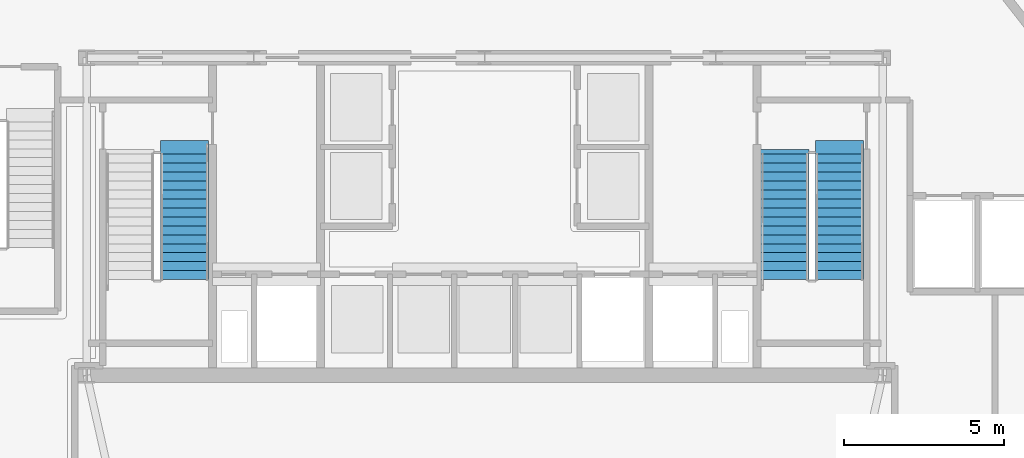
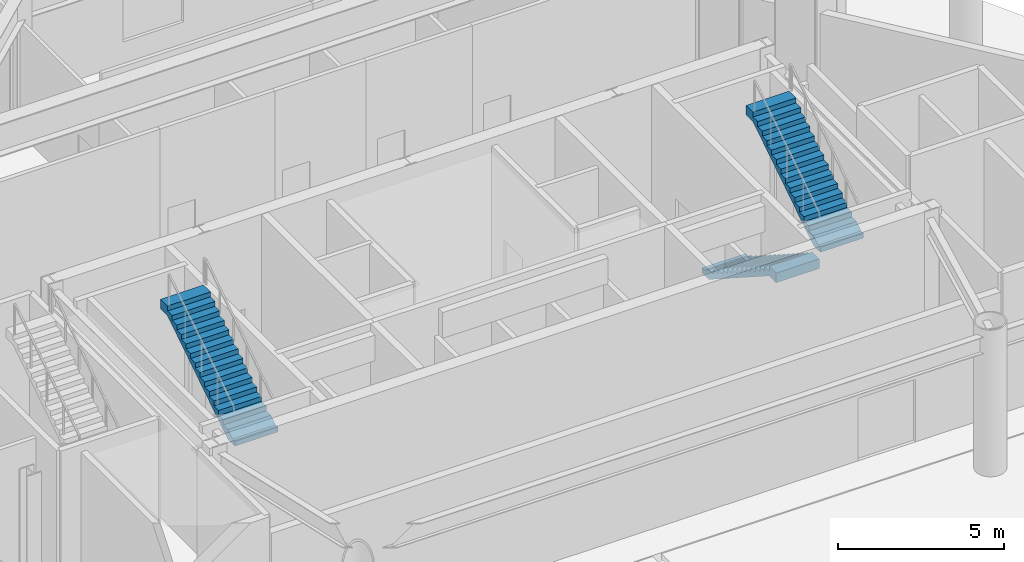
# One storey, part 7 of 9: 3 stair flights, 2 elements without a shape of their own.
"""IFC4 building model written with IfcOpenShell, lengths in metres."""

import ifcopenshell
import ifcopenshell.guid

model = None  # the IFC model being written
_history = None  # IfcOwnerHistory: only IFC2X3 demands one
_inside = {}  # id of a spatial element -> (the spatial element, [elements in it])
_under = {}  # id of a project, library or spatial element -> (it, [spatial elements below it])
_declared = {}  # id of a project -> (the project, [libraries it declares])
_typed = {}  # id of a type object -> (the type object, [elements of that type])
_made_of = {}  # id of a material, layer set ... -> (it, [elements and type objects made of it])


def new_model(schema):
    """Start an empty IFC model of exactly this schema.

    Asked for "IFC4X3", IfcOpenShell would pick the latest addendum, in which some entities
    have other attributes; the version numbers below select the first issue.
    IFC2X3 requires an IfcOwnerHistory on every rooted entity: one is made here for all.
    """
    global model, _history
    if schema == "IFC4X3":
        model = ifcopenshell.file(schema_version=(4, 3, 0, 0))
    else:
        model = ifcopenshell.file(schema=schema)
    _inside.clear()
    _under.clear()
    _declared.clear()
    _typed.clear()
    _made_of.clear()
    _history = None
    if model.schema == "IFC2X3":
        org = make("IfcOrganization", Name="unknown")
        user = make(
            "IfcPersonAndOrganization",
            ThePerson=make("IfcPerson", FamilyName="unknown"),
            TheOrganization=org,
        )
        app = make(
            "IfcApplication",
            ApplicationDeveloper=org,
            Version="unknown",
            ApplicationFullName="unknown",
            ApplicationIdentifier="unknown",
        )
        _history = make(
            "IfcOwnerHistory",
            OwningUser=user,
            OwningApplication=app,
            ChangeAction="ADDED",
            CreationDate=0,
        )
    return model


def make(cls, **values):
    """One entity of the class cls with the attributes given. An attribute that is None is left unset."""
    return model.create_entity(
        cls, **{name: value for name, value in values.items() if value is not None}
    )


def rooted(cls, **values):
    """An entity with a GlobalId (a new one), such as an element, a storey or a relation."""
    return make(cls, GlobalId=ifcopenshell.guid.new(), OwnerHistory=_history, **values)


def si_unit(unit_type, name, prefix=None):
    """IfcSIUnit, for example si_unit("LENGTHUNIT", "METRE", prefix="MILLI")."""
    return make("IfcSIUnit", UnitType=unit_type, Prefix=prefix, Name=name)


def assignment(units):
    """IfcUnitAssignment: the units of a project."""
    return None if units is None else make("IfcUnitAssignment", Units=units)


def point(xyz):
    """IfcCartesianPoint."""
    return None if xyz is None else make("IfcCartesianPoint", Coordinates=xyz)


def direction(xyz):
    """IfcDirection."""
    return None if xyz is None else make("IfcDirection", DirectionRatios=xyz)


def frame(location, z_axis=None, x_axis=None):
    """IfcAxis2Placement3D, a coordinate frame: its origin and axes. An axis left out is left unset."""
    return make(
        "IfcAxis2Placement3D",
        Location=point(location),
        Axis=direction(z_axis),
        RefDirection=direction(x_axis),
    )


def origin():
    """The frame at (0, 0, 0) with its axes left unset."""
    return frame((0.0, 0.0, 0.0))


def place(relative_to, where):
    """IfcLocalPlacement: puts the frame where relative to a parent placement (None: the world)."""
    return make(
        "IfcLocalPlacement", PlacementRelTo=relative_to, RelativePlacement=where
    )


def context(
    kind, dimensions, precision=None, world=None, true_north=None, identifier=None
):
    """IfcGeometricRepresentationContext, for example the 3D "Model" context."""
    return make(
        "IfcGeometricRepresentationContext",
        ContextIdentifier=identifier,
        ContextType=kind,
        CoordinateSpaceDimension=dimensions,
        Precision=precision,
        WorldCoordinateSystem=world,
        TrueNorth=true_north,
    )


def subcontext(parent, identifier, kind, view, scale=None):
    """IfcGeometricRepresentationSubContext, for example "Body" below "Model"."""
    return make(
        "IfcGeometricRepresentationSubContext",
        ContextIdentifier=identifier,
        ContextType=kind,
        ParentContext=parent,
        TargetScale=scale,
        TargetView=view,
    )


def project(units=None, contexts=None):
    """IfcProject with its units and contexts."""
    return rooted(
        "IfcProject",
        Name="project",
        RepresentationContexts=contexts,
        UnitsInContext=assignment(units),
    )


def spatial(cls, under=None, at=None, **own):
    """A site, building, storey or space (cls), placed at a placement, below another one or the project."""
    s = rooted(cls, ObjectPlacement=at, **own)
    if under is not None:
        _under.setdefault(under.id(), (under, []))[1].append(s)
    return s


def polyline(points):
    """IfcPolyline through the points."""
    return make("IfcPolyline", Points=[point(p) for p in points])


def outline(outer, holes=None, kind="AREA"):
    """IfcArbitraryClosedProfileDef: a profile drawn as a closed curve; with holes, ...WithVoids."""
    if holes is None:
        return make("IfcArbitraryClosedProfileDef", ProfileType=kind, OuterCurve=outer)
    return make(
        "IfcArbitraryProfileDefWithVoids",
        ProfileType=kind,
        OuterCurve=outer,
        InnerCurves=holes,
    )


def extrude(swept, where, along, depth):
    """IfcExtrudedAreaSolid: the profile swept, set in the frame where, extruded along a direction by depth."""
    return make(
        "IfcExtrudedAreaSolid",
        SweptArea=swept,
        Position=where,
        ExtrudedDirection=direction(along),
        Depth=depth,
    )


def shape(context_of_items, identifier, shape_type, items):
    """IfcShapeRepresentation: the items that make up one representation, for example the "Body"."""
    return make(
        "IfcShapeRepresentation",
        ContextOfItems=context_of_items,
        RepresentationIdentifier=identifier,
        RepresentationType=shape_type,
        Items=items,
    )


def material(Name=None, Category=None):
    """IfcMaterial."""
    return make("IfcMaterial", Name=Name, Category=Category)


def layer(
    of_material, thickness, ventilated=None, Name=None, Category=None, Priority=None
):
    """IfcMaterialLayer: one layer of a wall or slab, of a material (None: an air gap)."""
    return make(
        "IfcMaterialLayer",
        Material=of_material,
        LayerThickness=thickness,
        IsVentilated=ventilated,
        Name=Name,
        Category=Category,
        Priority=Priority,
    )


def layer_set(layers, Name=None):
    """IfcMaterialLayerSet."""
    return make("IfcMaterialLayerSet", MaterialLayers=layers, LayerSetName=Name)


def made_of(thing, what):
    """Note that an element or type object is made of a material, layer set ...; save() writes the relation."""
    if what is not None:
        _made_of.setdefault(what.id(), (what, []))[1].append(thing)
    return thing


def type_object(cls, material=None, **own):
    """A type object (cls), such as IfcWallType, which elements share."""
    return made_of(rooted(cls, **own), material)


def element(
    cls,
    number,
    at=None,
    inside=None,
    cuts=None,
    type_object=None,
    material=None,
    context=None,
    identifier="Body",
    shape_type=None,
    held_by="IfcProductDefinitionShape",
    body=None,
    shapes=None,
    **own,
):
    """One element of the class cls, such as IfcWall. Its Tag is "e" and its number.

    at: its placement. inside: the storey or other place that contains it. cuts: it is an
    opening in that element (IfcRelVoidsElement). A single representation is given by context,
    identifier, shape_type and body (its items); several are given by shapes. held_by: the class
    of the entity that holds the representations. save() writes the other relations.
    """
    e = rooted(cls, Tag="e%d" % number, ObjectPlacement=at, **own)
    if body is not None:
        shapes = [shape(context, identifier, shape_type, body)]
    if shapes is not None:
        e.Representation = make(held_by, Representations=shapes)
    if inside is not None:
        _inside.setdefault(inside.id(), (inside, []))[1].append(e)
    if cuts is not None:
        rooted(
            "IfcRelVoidsElement", RelatingBuildingElement=cuts, RelatedOpeningElement=e
        )
    if type_object is not None:
        _typed.setdefault(type_object.id(), (type_object, []))[1].append(e)
    return made_of(e, material)


def aggregate(whole, parts):
    """IfcRelAggregates: a whole, such as a stair, and the parts it consists of."""
    return rooted("IfcRelAggregates", RelatingObject=whole, RelatedObjects=parts)


def save(model, path):
    """Write the relations noted so far, then the file.

    IfcRelAggregates (storeys below a building ...), IfcRelContainedInSpatialStructure (elements
    in a storey), IfcRelDefinesByType, IfcRelAssociatesMaterial and IfcRelDeclares: one each for
    every whole, place, type object, material and project.
    """
    for whole, parts in _under.values():
        aggregate(whole, parts)
    for where, things in _inside.values():
        rooted(
            "IfcRelContainedInSpatialStructure",
            RelatedElements=things,
            RelatingStructure=where,
        )
    for kind, things in _typed.values():
        rooted("IfcRelDefinesByType", RelatedObjects=things, RelatingType=kind)
    for what, things in _made_of.values():
        rooted("IfcRelAssociatesMaterial", RelatedObjects=things, RelatingMaterial=what)
    for by, libraries in _declared.values():
        rooted("IfcRelDeclares", RelatingContext=by, RelatedDefinitions=libraries)
    model.write(path)


model = new_model("IFC4")

# Units and contexts
model_context = context("Model", 3, precision=1e-05, world=origin(), true_north=direction((0.0, 1.0)))
body_context = subcontext(model_context, "Body", "Model", "MODEL_VIEW")
ifc_project = project(units=[si_unit("LENGTHUNIT", "METRE"), si_unit("AREAUNIT", "SQUARE_METRE"), si_unit("VOLUMEUNIT", "CUBIC_METRE"), si_unit("PLANEANGLEUNIT", "RADIAN"), si_unit("MASSUNIT", "GRAM", prefix="KILO")], contexts=[model_context])

# Site, building, storey
site_placement = place(None, origin())
site = spatial("IfcSite", under=ifc_project, at=site_placement, CompositionType="ELEMENT")
building_placement = place(site_placement, origin())
building = spatial("IfcBuilding", under=site, at=building_placement, Name="Talgorran Terracotta Tower", CompositionType="ELEMENT")
storey_placement = place(building_placement, origin())
storey = spatial("IfcBuildingStorey", under=building, at=storey_placement, Name="L00", CompositionType="ELEMENT", Elevation=0.0)

# Stair, stair flight
ifc_material = material(Name="Concrete C40/50", Category="concrete")
stair_type = type_object("IfcStairType", Name="ST_FIRE_SCISSOR", PredefinedType="HALF_TURN_STAIR", material=ifc_material)
stair_1_placement = place(storey_placement, origin())
stair_1 = element("IfcStair", 1, at=stair_1_placement, inside=storey, type_object=stair_type, Name="L00 West Protected Fire Stair ST-01", PredefinedType="HALF_TURN_STAIR")
ifc_layer = layer(ifc_material, 0.179931640625, Name="STF_RC_1500")
ifc_layer_set = layer_set([ifc_layer], Name="Concrete C40/50")
stair_flight_type = type_object("IfcStairFlightType", Name="STF_RC_1500", PredefinedType="STRAIGHT", material=ifc_layer_set)
stair_flight_1_placement = place(storey_placement, frame((-9.35009765625, -11.1201171875, 2.699951171875), z_axis=(0.0, 0.0, 1.0), x_axis=(0.0, 1.0, 0.0)))
stair_flight_1 = element("IfcStairFlight", 2, at=stair_flight_1_placement, type_object=stair_flight_type, Name="ST-01 flight 2", NumberOfRisers=15, NumberOfTreads=14, PredefinedType="STRAIGHT", RiserHeight=0.18, TreadLength=0.28, context=body_context, shape_type="SweptSolid", body=[
    extrude(outline(polyline([(-0.139892578125, 0.0), (-0.139892578125, 0.179931640625), (0.0, 0.179931640625), (0.280029296875, 0.360107421875), (0.56005859375, 0.360107421875), (0.56005859375, 0.5400390625), (0.840087890625, 0.5400390625), (0.840087890625, 0.719970703125), (1.1201171875, 0.719970703125), (1.1201171875, 0.89990234375), (1.39990234375, 0.89990234375), (1.39990234375, 1.080078125), (1.679931640625, 1.080078125), (1.679931640625, 1.260009765625), (1.9599609375, 1.260009765625), (1.9599609375, 1.43994140625), (2.239990234375, 1.43994140625), (2.239990234375, 1.6201171875), (2.52001953125, 1.6201171875), (2.52001953125, 1.800048828125), (2.800048828125, 1.800048828125), (2.800048828125, 1.97998046875), (3.080078125, 1.97998046875), (3.080078125, 2.159912109375), (3.360107421875, 2.159912109375), (3.360107421875, 2.340087890625), (3.639892578125, 2.340087890625), (3.639892578125, 2.52001953125), (3.919921875, 2.52001953125), (3.919921875, 2.699951171875), (4.340087890625, 2.699951171875), (4.340087890625, 2.341796875), (3.919921875, 2.341796875), (0.277099609375, 0.0), (-0.139892578125, 0.0)])), frame((0.0, 0.75, 0.0), z_axis=(0.0, -1.0, 0.0), x_axis=(1.0, 0.0, 0.0)), (0.0, 0.0, 1.0), 1.5),
])
aggregate(stair_1, [stair_flight_1])

# Stair, stair flights
stair_2_placement = place(storey_placement, origin())
stair_2 = element("IfcStair", 3, at=stair_2_placement, inside=storey, type_object=stair_type, Name="L00 East Protected Fire Stair ST-02", PredefinedType="HALF_TURN_STAIR")
stair_flight_2_placement = place(storey_placement, frame((9.35009765625, -7.199951171875, 0.0), z_axis=(0.0, 0.0, 1.0), x_axis=(0.0, -1.0, 0.0)))
stair_flight_2 = element("IfcStairFlight", 4, at=stair_flight_2_placement, type_object=stair_flight_type, Name="ST-02 flight 1", NumberOfRisers=15, NumberOfTreads=14, PredefinedType="STRAIGHT", RiserHeight=0.18, TreadLength=0.28, context=body_context, shape_type="SweptSolid", body=[
    extrude(outline(polyline([(-0.139892578125, 0.0), (-0.139892578125, 0.179931640625), (0.0, 0.179931640625), (0.280029296875, 0.360107421875), (0.56005859375, 0.360107421875), (0.56005859375, 0.5400390625), (0.840087890625, 0.5400390625), (0.840087890625, 0.719970703125), (1.1201171875, 0.719970703125), (1.1201171875, 0.89990234375), (1.39990234375, 0.89990234375), (1.39990234375, 1.080078125), (1.679931640625, 1.080078125), (1.679931640625, 1.260009765625), (1.9599609375, 1.260009765625), (1.9599609375, 1.43994140625), (2.239990234375, 1.43994140625), (2.239990234375, 1.6201171875), (2.52001953125, 1.6201171875), (2.52001953125, 1.800048828125), (2.800048828125, 1.800048828125), (2.800048828125, 1.97998046875), (3.080078125, 1.97998046875), (3.080078125, 2.159912109375), (3.360107421875, 2.159912109375), (3.360107421875, 2.340087890625), (3.639892578125, 2.340087890625), (3.639892578125, 2.52001953125), (3.919921875, 2.52001953125), (3.919921875, 2.699951171875), (4.340087890625, 2.699951171875), (4.340087890625, 2.341796875), (3.919921875, 2.341796875), (0.277099609375, 0.0), (-0.139892578125, 0.0)])), frame((0.0, 0.75, 0.0), z_axis=(0.0, -1.0, 0.0), x_axis=(1.0, 0.0, 0.0)), (0.0, 0.0, 1.0), 1.5),
])
stair_flight_3_placement = place(storey_placement, frame((11.050048828125, -11.1201171875, 2.699951171875), z_axis=(0.0, 0.0, 1.0), x_axis=(0.0, 1.0, 0.0)))
stair_flight_3 = element("IfcStairFlight", 5, at=stair_flight_3_placement, type_object=stair_flight_type, Name="ST-02 flight 2", NumberOfRisers=15, NumberOfTreads=14, PredefinedType="STRAIGHT", RiserHeight=0.18, TreadLength=0.28, context=body_context, shape_type="SweptSolid", body=[
    extrude(outline(polyline([(-0.139892578125, 0.0), (-0.139892578125, 0.179931640625), (0.0, 0.179931640625), (0.280029296875, 0.360107421875), (0.56005859375, 0.360107421875), (0.56005859375, 0.5400390625), (0.840087890625, 0.5400390625), (0.840087890625, 0.719970703125), (1.1201171875, 0.719970703125), (1.1201171875, 0.89990234375), (1.39990234375, 0.89990234375), (1.39990234375, 1.080078125), (1.679931640625, 1.080078125), (1.679931640625, 1.260009765625), (1.9599609375, 1.260009765625), (1.9599609375, 1.43994140625), (2.239990234375, 1.43994140625), (2.239990234375, 1.6201171875), (2.52001953125, 1.6201171875), (2.52001953125, 1.800048828125), (2.800048828125, 1.800048828125), (2.800048828125, 1.97998046875), (3.080078125, 1.97998046875), (3.080078125, 2.159912109375), (3.360107421875, 2.159912109375), (3.360107421875, 2.340087890625), (3.639892578125, 2.340087890625), (3.639892578125, 2.52001953125), (3.919921875, 2.52001953125), (3.919921875, 2.699951171875), (4.340087890625, 2.699951171875), (4.340087890625, 2.341796875), (3.919921875, 2.341796875), (0.277099609375, 0.0), (-0.139892578125, 0.0)])), frame((0.0, 0.75, 0.0), z_axis=(0.0, -1.0, 0.0), x_axis=(1.0, 0.0, 0.0)), (0.0, 0.0, 1.0), 1.5),
])
aggregate(stair_2, [stair_flight_2, stair_flight_3])

save(model, "model.ifc")
